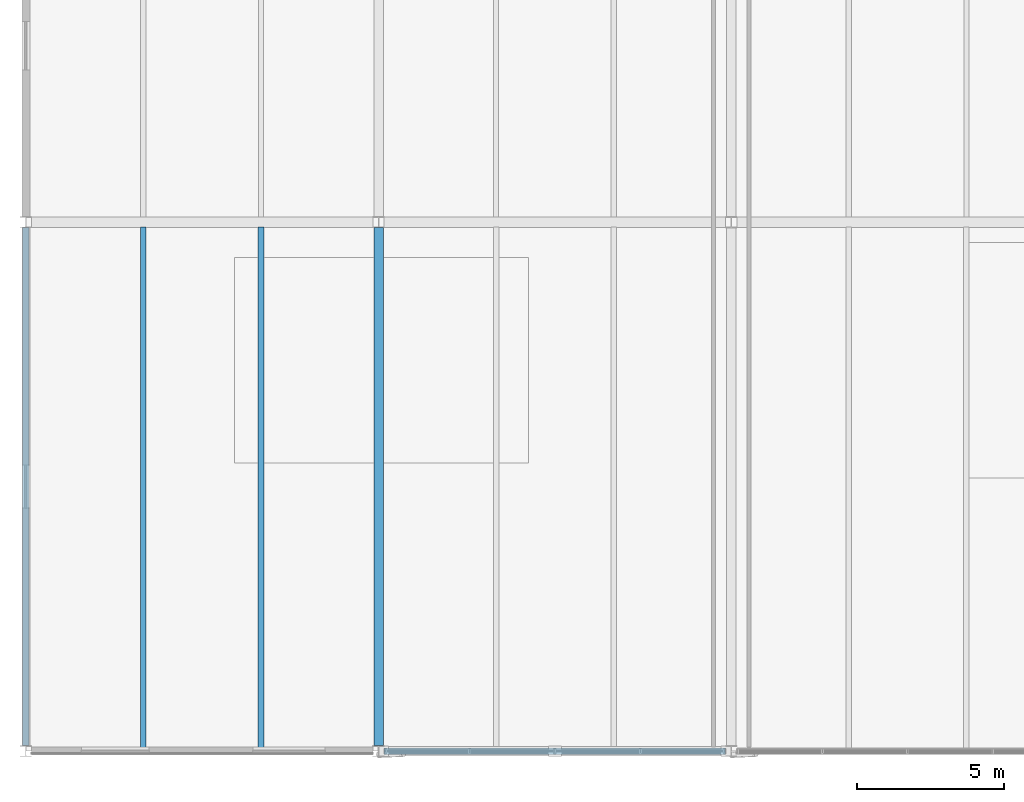
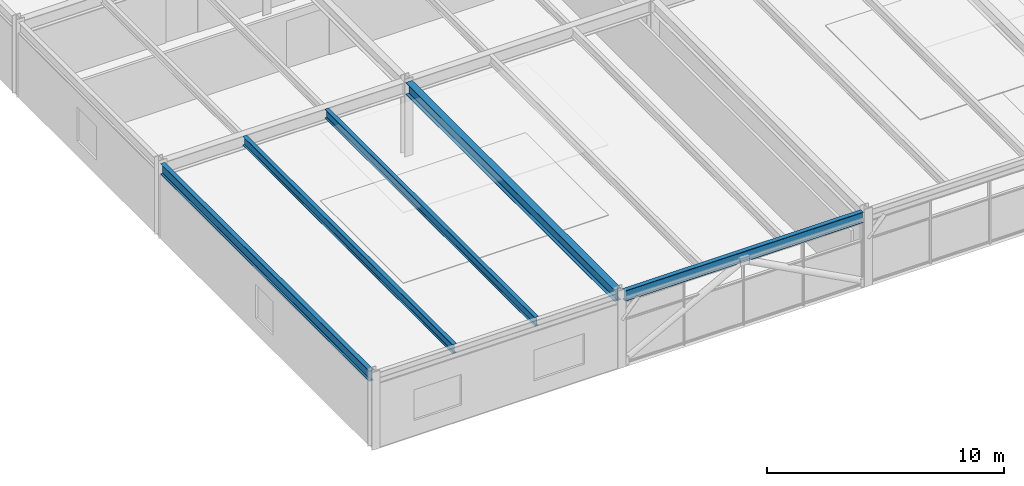
# One storey, part 9 of 49: 5 beams.
"""IFC4 building model written with IfcOpenShell, lengths in metres."""

from ifc_helpers import new_model, si_unit, direction, frame, origin, origin_2d, place, context, subcontext, project, spatial, i_section, extrude, material, material_profile, profile_set, type_object, element, save


model = new_model("IFC4")

# Units and contexts
model_context = context("Model", 3, precision=1e-05, world=origin(), true_north=direction((0.0, 1.0)))
body_context = subcontext(model_context, "Body", "Model", "MODEL_VIEW")
ifc_project = project(units=[si_unit("LENGTHUNIT", "METRE"), si_unit("AREAUNIT", "SQUARE_METRE"), si_unit("VOLUMEUNIT", "CUBIC_METRE"), si_unit("PLANEANGLEUNIT", "RADIAN"), si_unit("MASSUNIT", "GRAM", prefix="KILO")], contexts=[model_context])

# Site, building, storey
site_placement = place(None, origin())
site = spatial("IfcSite", under=ifc_project, at=site_placement, CompositionType="ELEMENT")
building_placement = place(site_placement, origin())
building = spatial("IfcBuilding", under=site, at=building_placement, Name="Girod Span Mobility Hub", CompositionType="ELEMENT")
storey_placement = place(building_placement, frame((0.0, 0.0, 37.60009765625)))
storey = spatial("IfcBuildingStorey", under=building, at=storey_placement, Name="L09", CompositionType="ELEMENT", Elevation=37.60009765625)

# Beams
ifc_material_1 = material(Name="Steel A992 Grade 50", Category="steel")
ifc_material_profile_1 = material_profile(ifc_material_1, i_section(OverallWidth=0.19189453125, OverallDepth=0.462890625, WebThickness=0.010498046875, FlangeThickness=0.017578125, FilletRadius=0.013916015625, at=origin_2d()), Name="W18X60")
ifc_profile_set_1 = profile_set([ifc_material_profile_1], Name="Steel A992 Grade 50")
beam_type_1 = type_object("IfcBeamType", Name="BM-STL-W18X60", PredefinedType="BEAM", material=ifc_profile_set_1)
for number, where, z_axis, x_axis, name in (
    (1, (28.0, 27.10302734375, 3.603515625), (0.0, 1.0, 0.0), (-1.0, 0.0, 0.0), "Composite Floorbeam 3/C-1 L09"),
    (2, (32.0, 27.10302734375, 3.603515625), (0.0, 1.0, 0.0), (-1.0, 0.0, 0.0), "Composite Floorbeam 3/C-2 L09"),
):
    element("IfcBeam", number, at=place(storey_placement, frame(where, z_axis=z_axis, x_axis=x_axis)), inside=storey, type_object=beam_type_1, Name=name, PredefinedType="BEAM", context=body_context, shape_type="SweptSolid", body=[
        extrude(i_section(OverallWidth=0.19189453125, OverallDepth=0.462890625, WebThickness=0.010498046875, FlangeThickness=0.017578125, FilletRadius=0.013916015625, at=origin_2d()), origin(), (0.0, 0.0, 1.0), 17.722412109375),
    ])
ifc_material_2 = material(Name="Steel A992 Grade 50", Category="steel")
ifc_material_profile_2 = material_profile(ifc_material_2, i_section(OverallWidth=0.2119140625, OverallDepth=0.5439453125, WebThickness=0.01318359375, FlangeThickness=0.021240234375, FilletRadius=0.014892578125, at=origin_2d()), Name="W21X83")
ifc_profile_set_2 = profile_set([ifc_material_profile_2], Name="Steel A992 Grade 50")
beam_type_2 = type_object("IfcBeamType", Name="BM-STL-W21X83", PredefinedType="SPANDREL", material=ifc_profile_set_2)
beam_1_placement = place(storey_placement, frame((36.194091796875, 27.0, 3.56298828125), z_axis=(1.0, 0.0, 0.0), x_axis=(0.0, 1.0, 0.0)))
element("IfcBeam", 3, at=beam_1_placement, inside=storey, type_object=beam_type_2, Name="Girder 4-5/C L09", PredefinedType="SPANDREL", context=body_context, shape_type="SweptSolid", body=[
    extrude(i_section(OverallWidth=0.2119140625, OverallDepth=0.5439453125, WebThickness=0.01318359375, FlangeThickness=0.021240234375, FilletRadius=0.014892578125, at=origin_2d()), origin(), (0.0, 0.0, 1.0), 11.61181640625),
])
beam_2_placement = place(storey_placement, frame((24.0, 27.1845703125, 3.56298828125), z_axis=(0.0, 1.0, 0.0), x_axis=(-1.0, 0.0, 0.0)))
element("IfcBeam", 4, at=beam_2_placement, inside=storey, type_object=beam_type_2, Name="Tie Girder 3/C-D L09", PredefinedType="SPANDREL", context=body_context, shape_type="SweptSolid", body=[
    extrude(i_section(OverallWidth=0.2119140625, OverallDepth=0.5439453125, WebThickness=0.01318359375, FlangeThickness=0.021240234375, FilletRadius=0.014892578125, at=origin_2d()), origin(), (0.0, 0.0, 1.0), 17.630859375),
])
ifc_material_3 = material(Name="Steel A992 Grade 50", Category="steel")
ifc_material_profile_3 = material_profile(ifc_material_3, i_section(OverallWidth=0.323974609375, OverallDepth=0.611083984375, WebThickness=0.0126953125, FlangeThickness=0.01904296875, FilletRadius=0.014892578125, at=origin_2d()), Name="W24X104")
ifc_profile_set_3 = profile_set([ifc_material_profile_3], Name="Steel A992 Grade 50")
beam_type_3 = type_object("IfcBeamType", Name="BM-STL-W24X104", PredefinedType="BEAM", material=ifc_profile_set_3)
beam_3_placement = place(storey_placement, frame((36.0, 27.1845703125, 3.529296875), z_axis=(0.0, 1.0, 0.0), x_axis=(-1.0, 0.0, 0.0)))
element("IfcBeam", 5, at=beam_3_placement, inside=storey, type_object=beam_type_3, Name="Tie Girder 4/C-D L09", PredefinedType="BEAM", context=body_context, shape_type="SweptSolid", body=[
    extrude(i_section(OverallWidth=0.323974609375, OverallDepth=0.611083984375, WebThickness=0.0126953125, FlangeThickness=0.01904296875, FilletRadius=0.014892578125, at=origin_2d()), origin(), (0.0, 0.0, 1.0), 17.630859375),
])

save(model, "model.ifc")
